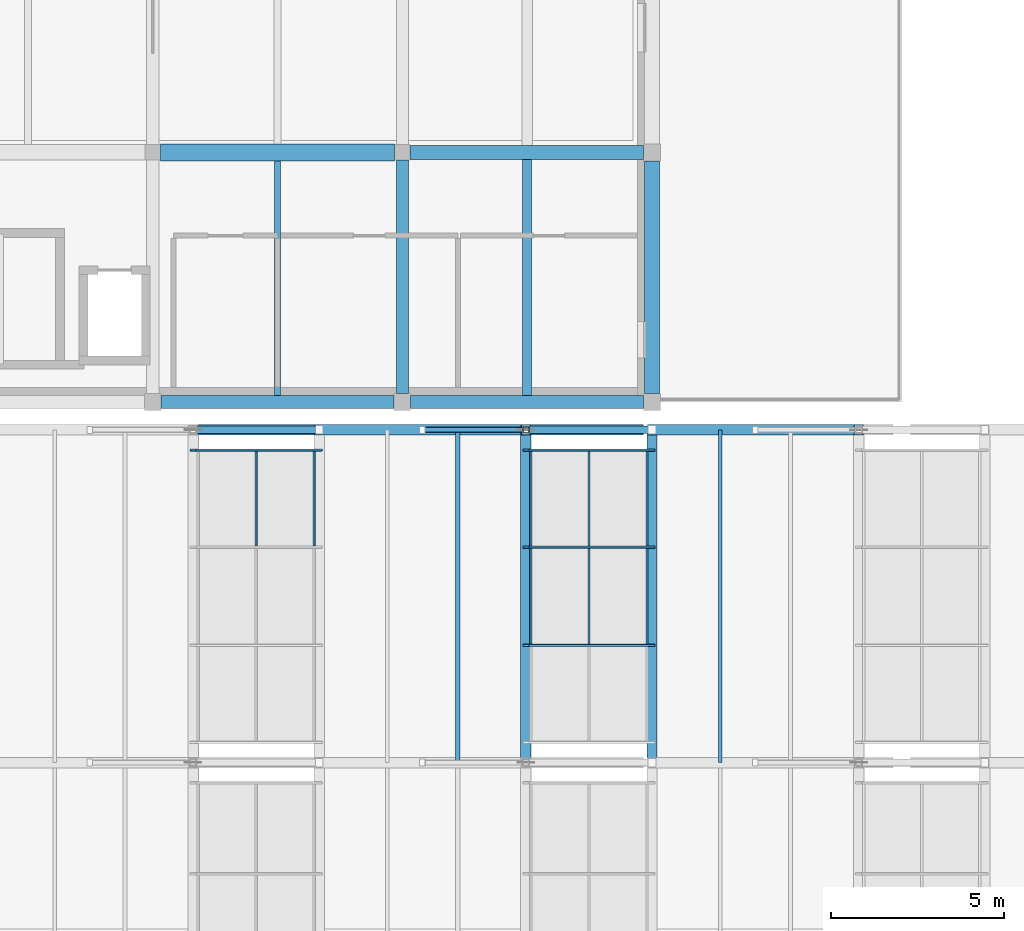
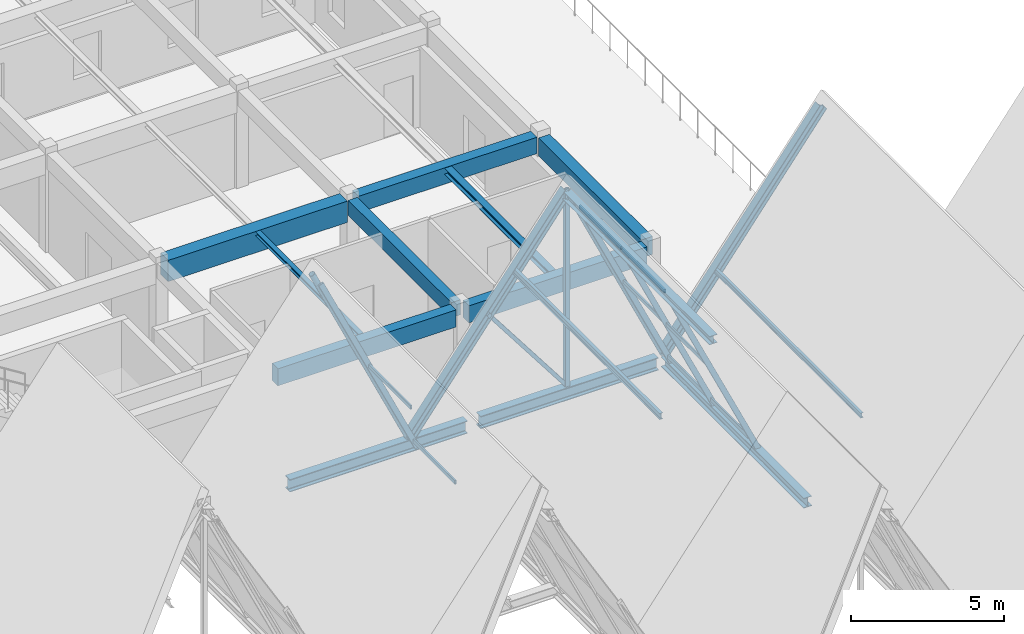
# One storey, part 26 of 99: 20 members, 12 beams, 2 elements without a shape of their own.
"""IFC4 building model written with IfcOpenShell, lengths in metres."""

from ifc_helpers import new_model, si_unit, direction, frame, origin, origin_2d, place, context, subcontext, project, spatial, rectangle, hollow_rectangle, hollow_circle, i_section, extrude, material, material_profile, profile_set, type_object, element, aggregate, save


model = new_model("IFC4")

# Units and contexts
model_context = context("Model", 3, precision=1e-05, world=origin(), true_north=direction((0.0, 1.0)))
body_context = subcontext(model_context, "Body", "Model", "MODEL_VIEW")
ifc_project = project(units=[si_unit("LENGTHUNIT", "METRE"), si_unit("AREAUNIT", "SQUARE_METRE"), si_unit("VOLUMEUNIT", "CUBIC_METRE"), si_unit("PLANEANGLEUNIT", "RADIAN"), si_unit("MASSUNIT", "GRAM", prefix="KILO")], contexts=[model_context])

# Site, building, storey
site_placement = place(None, origin())
site = spatial("IfcSite", under=ifc_project, at=site_placement, CompositionType="ELEMENT")
building_placement = place(site_placement, origin())
building = spatial("IfcBuilding", under=site, at=building_placement, Name="Bramveld Media Centre", CompositionType="ELEMENT")
storey_placement = place(building_placement, frame((0.0, 0.0, 13.800048828125)))
storey = spatial("IfcBuildingStorey", under=building, at=storey_placement, Name="L03", CompositionType="ELEMENT", Elevation=13.800048828125)

# Beams
ifc_material_1 = material(Name="Concrete C40/50", Category="concrete")
ifc_material_profile_1 = material_profile(ifc_material_1, rectangle(XDim=0.35009765625, YDim=0.60009765625, at=origin_2d()), Name="RC 350x600")
ifc_profile_set_1 = profile_set([ifc_material_profile_1], Name="Concrete C40/50")
beam_type_1 = type_object("IfcBeamType", Name="BM-INT-RC-350x600", PredefinedType="BEAM", material=ifc_profile_set_1)
beam_1_placement = place(storey_placement, frame((21.60009765625, 39.43994140625, 3.659912109375), z_axis=(0.0, 1.0, 0.0), x_axis=(-1.0, 0.0, 0.0)))
element("IfcBeam", 1, at=beam_1_placement, inside=storey, type_object=beam_type_1, Name="V3 L03 girder Y-420", PredefinedType="BEAM", context=body_context, shape_type="SweptSolid", body=[
    extrude(rectangle(XDim=0.35009765625, YDim=0.60009765625, at=origin_2d()), origin(), (0.0, 0.0, 1.0), 6.735107421875),
])
ifc_material_2 = material(Name="Concrete C40/50", Category="concrete")
ifc_material_profile_2 = material_profile(ifc_material_2, rectangle(XDim=0.39990234375, YDim=0.64990234375, at=origin_2d()), Name="RC 400x650")
ifc_profile_set_2 = profile_set([ifc_material_profile_2], Name="Concrete C40/50")
beam_type_2 = type_object("IfcBeamType", Name="BM-INT-RC-400x650", PredefinedType="BEAM", material=ifc_profile_set_2)
beam_2_placement = place(storey_placement, frame((21.824951171875, 46.39990234375, 3.635009765625), z_axis=(1.0, 0.0, 0.0), x_axis=(0.0, 1.0, 0.0)))
element("IfcBeam", 2, at=beam_2_placement, inside=storey, type_object=beam_type_2, Name="V3 L03 girder X-396", PredefinedType="BEAM", context=body_context, shape_type="SweptSolid", body=[
    extrude(rectangle(XDim=0.39990234375, YDim=0.64990234375, at=origin_2d()), origin(), (0.0, 0.0, 1.0), 6.735107421875),
])
ifc_material_3 = material(Name="Concrete C40/50", Category="concrete")
ifc_material_profile_3 = material_profile(ifc_material_3, rectangle(XDim=0.5, YDim=0.85009765625, at=origin_2d()), Name="RC 500x850")
ifc_profile_set_3 = profile_set([ifc_material_profile_3], Name="Concrete C40/50")
beam_type_3 = type_object("IfcBeamType", Name="BM-INT-RC-500x850", PredefinedType="BEAM", material=ifc_profile_set_3)
beam_3_placement = place(storey_placement, frame((14.625, 46.39990234375, 3.534912109375), z_axis=(1.0, 0.0, 0.0), x_axis=(0.0, 1.0, 0.0)))
element("IfcBeam", 3, at=beam_3_placement, inside=storey, type_object=beam_type_3, Name="V3 L03 girder X-395", PredefinedType="BEAM", context=body_context, shape_type="SweptSolid", body=[
    extrude(rectangle(XDim=0.5, YDim=0.85009765625, at=origin_2d()), origin(), (0.0, 0.0, 1.0), 6.75),
])

# Curtain wall, member
ifc_material_4 = material(Name="Thermally broken anodized bronze aluminium unitized curtain wall with solar-control triple glazing", Category="aluminium")
curtain_wall_type = type_object("IfcCurtainWallType", Name="CW-SAW-8500x8606", PredefinedType="NOTDEFINED", material=ifc_material_4)
curtain_wall_1_placement = place(storey_placement, origin())
curtain_wall_1 = element("IfcCurtainWall", 4, at=curtain_wall_1_placement, inside=storey, type_object=curtain_wall_type, Name="V2 sawtooth north-light clerestory B2-S3", PredefinedType="NOTDEFINED")
ifc_material_5 = material(Name="Thermally broken anodized bronze aluminium EN AW-6063 T6 curtain-wall framing", Category="aluminium")
ifc_material_profile_4 = material_profile(ifc_material_5, hollow_rectangle(XDim=0.070068359375, YDim=0.199951171875, WallThickness=0.00439453125, InnerFilletRadius=0.00439453125, OuterFilletRadius=0.009033203125, at=origin_2d()), Name="AL-MULL 70x200")
ifc_profile_set_4 = profile_set([ifc_material_profile_4], Name="Thermally broken anodized bronze aluminium EN AW-6063 T6 curtain-wall framing")
member_type_1 = type_object("IfcMemberType", Name="CW-MULL-SLP", PredefinedType="MULLION", material=ifc_profile_set_4)
member_1_placement = place(storey_placement, frame((19.199951171875, 37.81494140625, -0.02001953125), z_axis=(-0.423956992265, 0.0, 0.90568232218), x_axis=(0.0, -1.0, 0.0)))
member_1 = element("IfcMember", 5, at=member_1_placement, type_object=member_type_1, Name="CW-SA-8586 sloped mullion 4", PredefinedType="MULLION", context=body_context, shape_type="SweptSolid", body=[
    extrude(hollow_rectangle(XDim=0.070068359375, YDim=0.199951171875, WallThickness=0.00439453125, InnerFilletRadius=0.00439453125, OuterFilletRadius=0.009033203125, at=origin_2d()), origin(), (0.0, 0.0, 1.0), 8.5791015625),
])

# Curtain wall, members
curtain_wall_2_placement = place(storey_placement, origin())
curtain_wall_2 = element("IfcCurtainWall", 6, at=curtain_wall_2_placement, inside=storey, type_object=curtain_wall_type, Name="V2 sawtooth north-light clerestory B3-S3", PredefinedType="NOTDEFINED")
member_2_placement = place(storey_placement, frame((28.800048828125, 32.183349609375, -0.02001953125), z_axis=(-0.423956992265, 0.0, 0.90568232218), x_axis=(0.0, -1.0, 0.0)))
member_2 = element("IfcMember", 7, at=member_2_placement, type_object=member_type_1, Name="CW-SA-8586 sloped mullion 2", PredefinedType="MULLION", context=body_context, shape_type="SweptSolid", body=[
    extrude(hollow_rectangle(XDim=0.070068359375, YDim=0.199951171875, WallThickness=0.00439453125, InnerFilletRadius=0.00439453125, OuterFilletRadius=0.009033203125, at=origin_2d()), origin(), (0.0, 0.0, 1.0), 8.5791015625),
])
member_3_placement = place(storey_placement, frame((28.800048828125, 35.0166015625, -0.02001953125), z_axis=(-0.423956992265, 0.0, 0.90568232218), x_axis=(0.0, -1.0, 0.0)))
member_3 = element("IfcMember", 8, at=member_3_placement, type_object=member_type_1, Name="CW-SA-8586 sloped mullion 3", PredefinedType="MULLION", context=body_context, shape_type="SweptSolid", body=[
    extrude(hollow_rectangle(XDim=0.070068359375, YDim=0.199951171875, WallThickness=0.00439453125, InnerFilletRadius=0.00439453125, OuterFilletRadius=0.009033203125, at=origin_2d()), origin(), (0.0, 0.0, 1.0), 8.5791015625),
])
member_4_placement = place(storey_placement, frame((28.800048828125, 37.81494140625, -0.02001953125), z_axis=(-0.423956992265, 0.0, 0.90568232218), x_axis=(0.0, -1.0, 0.0)))
member_4 = element("IfcMember", 9, at=member_4_placement, type_object=member_type_1, Name="CW-SA-8586 sloped mullion 4", PredefinedType="MULLION", context=body_context, shape_type="SweptSolid", body=[
    extrude(hollow_rectangle(XDim=0.070068359375, YDim=0.199951171875, WallThickness=0.00439453125, InnerFilletRadius=0.00439453125, OuterFilletRadius=0.009033203125, at=origin_2d()), origin(), (0.0, 0.0, 1.0), 8.5791015625),
])

# Member
ifc_material_6 = material(Name="Thermally broken anodized bronze aluminium EN AW-6063 T6 curtain-wall framing", Category="aluminium")
ifc_material_profile_5 = material_profile(ifc_material_6, hollow_rectangle(XDim=0.070068359375, YDim=0.14990234375, WallThickness=0.00390625, InnerFilletRadius=0.00390625, OuterFilletRadius=0.008056640625, at=origin_2d()), Name="AL-TRAN 70x150")
ifc_profile_set_5 = profile_set([ifc_material_profile_5], Name="Thermally broken anodized bronze aluminium EN AW-6063 T6 curtain-wall framing")
member_type_2 = type_object("IfcMemberType", Name="CW-TRAN-SLP", PredefinedType="USERDEFINED", material=ifc_profile_set_5)
member_5_placement = place(storey_placement, frame((19.054443359375, 35.0517578125, 0.290771484375), z_axis=(0.0, 1.0, 0.0), x_axis=(-1.0, 0.0, 0.0)))
member_5 = element("IfcMember", 10, at=member_5_placement, type_object=member_type_2, Name="CW-SA-8586 transom 3.1", ObjectType="TRANSOM", PredefinedType="USERDEFINED", context=body_context, shape_type="SweptSolid", body=[
    extrude(hollow_rectangle(XDim=0.070068359375, YDim=0.14990234375, WallThickness=0.00390625, InnerFilletRadius=0.00390625, OuterFilletRadius=0.008056640625, at=origin_2d()), origin(), (0.0, 0.0, 1.0), 2.728271484375),
])

member_6_placement = place(storey_placement, frame((17.38134765625, 35.0517578125, 3.864990234375), z_axis=(0.0, 1.0, 0.0), x_axis=(-1.0, 0.0, 0.0)))
member_6 = element("IfcMember", 11, at=member_6_placement, type_object=member_type_2, Name="CW-SA-8586 transom 3.2", ObjectType="TRANSOM", PredefinedType="USERDEFINED", context=body_context, shape_type="SweptSolid", body=[
    extrude(hollow_rectangle(XDim=0.070068359375, YDim=0.14990234375, WallThickness=0.00390625, InnerFilletRadius=0.00390625, OuterFilletRadius=0.008056640625, at=origin_2d()), origin(), (0.0, 0.0, 1.0), 2.728271484375),
])

aggregate(curtain_wall_1, [member_1, member_5, member_6])

member_7_placement = place(storey_placement, frame((28.654541015625, 32.21826171875, 0.290771484375), z_axis=(0.0, 1.0, 0.0), x_axis=(-1.0, 0.0, 0.0)))
member_7 = element("IfcMember", 12, at=member_7_placement, type_object=member_type_2, Name="CW-SA-8586 transom 2.1", ObjectType="TRANSOM", PredefinedType="USERDEFINED", context=body_context, shape_type="SweptSolid", body=[
    extrude(hollow_rectangle(XDim=0.070068359375, YDim=0.14990234375, WallThickness=0.00390625, InnerFilletRadius=0.00390625, OuterFilletRadius=0.008056640625, at=origin_2d()), origin(), (0.0, 0.0, 1.0), 2.763427734375),
])

member_8_placement = place(storey_placement, frame((26.9814453125, 32.21826171875, 3.864990234375), z_axis=(0.0, 1.0, 0.0), x_axis=(-1.0, 0.0, 0.0)))
member_8 = element("IfcMember", 13, at=member_8_placement, type_object=member_type_2, Name="CW-SA-8586 transom 2.2", ObjectType="TRANSOM", PredefinedType="USERDEFINED", context=body_context, shape_type="SweptSolid", body=[
    extrude(hollow_rectangle(XDim=0.070068359375, YDim=0.14990234375, WallThickness=0.00390625, InnerFilletRadius=0.00390625, OuterFilletRadius=0.008056640625, at=origin_2d()), origin(), (0.0, 0.0, 1.0), 2.763427734375),
])

member_9_placement = place(storey_placement, frame((25.308349609375, 32.21826171875, 7.439208984375), z_axis=(0.0, 1.0, 0.0), x_axis=(-1.0, 0.0, 0.0)))
member_9 = element("IfcMember", 14, at=member_9_placement, type_object=member_type_2, Name="CW-SA-8586 transom 2.3", ObjectType="TRANSOM", PredefinedType="USERDEFINED", context=body_context, shape_type="SweptSolid", body=[
    extrude(hollow_rectangle(XDim=0.070068359375, YDim=0.14990234375, WallThickness=0.00390625, InnerFilletRadius=0.00390625, OuterFilletRadius=0.008056640625, at=origin_2d()), origin(), (0.0, 0.0, 1.0), 2.763427734375),
])

member_10_placement = place(storey_placement, frame((28.654541015625, 35.0517578125, 0.290771484375), z_axis=(0.0, 1.0, 0.0), x_axis=(-1.0, 0.0, 0.0)))
member_10 = element("IfcMember", 15, at=member_10_placement, type_object=member_type_2, Name="CW-SA-8586 transom 3.1", ObjectType="TRANSOM", PredefinedType="USERDEFINED", context=body_context, shape_type="SweptSolid", body=[
    extrude(hollow_rectangle(XDim=0.070068359375, YDim=0.14990234375, WallThickness=0.00390625, InnerFilletRadius=0.00390625, OuterFilletRadius=0.008056640625, at=origin_2d()), origin(), (0.0, 0.0, 1.0), 2.728271484375),
])

member_11_placement = place(storey_placement, frame((26.9814453125, 35.0517578125, 3.864990234375), z_axis=(0.0, 1.0, 0.0), x_axis=(-1.0, 0.0, 0.0)))
member_11 = element("IfcMember", 16, at=member_11_placement, type_object=member_type_2, Name="CW-SA-8586 transom 3.2", ObjectType="TRANSOM", PredefinedType="USERDEFINED", context=body_context, shape_type="SweptSolid", body=[
    extrude(hollow_rectangle(XDim=0.070068359375, YDim=0.14990234375, WallThickness=0.00390625, InnerFilletRadius=0.00390625, OuterFilletRadius=0.008056640625, at=origin_2d()), origin(), (0.0, 0.0, 1.0), 2.728271484375),
])

member_12_placement = place(storey_placement, frame((25.308349609375, 35.0517578125, 7.439208984375), z_axis=(0.0, 1.0, 0.0), x_axis=(-1.0, 0.0, 0.0)))
member_12 = element("IfcMember", 17, at=member_12_placement, type_object=member_type_2, Name="CW-SA-8586 transom 3.3", ObjectType="TRANSOM", PredefinedType="USERDEFINED", context=body_context, shape_type="SweptSolid", body=[
    extrude(hollow_rectangle(XDim=0.070068359375, YDim=0.14990234375, WallThickness=0.00390625, InnerFilletRadius=0.00390625, OuterFilletRadius=0.008056640625, at=origin_2d()), origin(), (0.0, 0.0, 1.0), 2.728271484375),
])

aggregate(curtain_wall_2, [member_2, member_3, member_4, member_7, member_8, member_9, member_10, member_11, member_12])

# Members
ifc_material_7 = material(Name="Steel S355J2H", Category="steel")
ifc_material_profile_6 = material_profile(ifc_material_7, hollow_circle(Radius=0.109619140625, WallThickness=0.012451171875, at=origin_2d()), Name="CHS 219.1x12.5")
ifc_profile_set_6 = profile_set([ifc_material_profile_6], Name="Steel S355J2H")
member_type_3 = type_object("IfcMemberType", Name="MEM-BRACE-CHS219", PredefinedType="BRACE", material=ifc_profile_set_6)
for number, where, z_axis, x_axis, name in (
    (18, (19.199951171875, 38.39990234375, 0.0), (-0.422616785161, 0.0, 0.906308475575), (0.0, -1.0, 0.0), "TRUSS-V2-B02-F5 north-light strut"),
    (19, (28.800048828125, 38.39990234375, 0.0), (-0.422616785161, 0.0, 0.906308475575), (0.0, -1.0, 0.0), "TRUSS-V2-B03-F5 north-light strut"),
):
    element("IfcMember", number, at=place(storey_placement, frame(where, z_axis=z_axis, x_axis=x_axis)), inside=storey, type_object=member_type_3, Name=name, PredefinedType="BRACE", context=body_context, shape_type="SweptSolid", body=[
        extrude(hollow_circle(Radius=0.109619140625, WallThickness=0.012451171875, at=origin_2d()), origin(), (0.0, 0.0, 1.0), 8.6064453125),
    ])
ifc_material_8 = material(Name="Steel S355J2H", Category="steel")
ifc_material_profile_7 = material_profile(ifc_material_8, hollow_rectangle(XDim=0.14990234375, YDim=0.14990234375, WallThickness=0.010009765625, InnerFilletRadius=0.010009765625, OuterFilletRadius=0.02001953125, at=origin_2d()), Name="SHS 150x150x10")
ifc_profile_set_7 = profile_set([ifc_material_profile_7], Name="Steel S355J2H")
member_type_4 = type_object("IfcMemberType", Name="MEM-BRACE-SHS150", PredefinedType="BRACE", material=ifc_profile_set_7)
member_13_placement = place(storey_placement, frame((25.162841796875, 38.39990234375, 0.0), z_axis=(-0.607343034298, 0.0, 0.794439701104), x_axis=(0.0, -1.0, 0.0)))
element("IfcMember", 20, at=member_13_placement, inside=storey, type_object=member_type_4, Name="TRUSS-V2-B03-F5 web diagonal", PredefinedType="BRACE", context=body_context, shape_type="SweptSolid", body=[
    extrude(hollow_rectangle(XDim=0.14990234375, YDim=0.14990234375, WallThickness=0.010009765625, InnerFilletRadius=0.010009765625, OuterFilletRadius=0.02001953125, at=origin_2d()), origin(), (0.0, 0.0, 1.0), 4.908935546875),
])
ifc_material_9 = material(Name="Steel S355J2", Category="steel")
ifc_material_profile_8 = material_profile(ifc_material_9, i_section(OverallWidth=0.300048828125, OverallDepth=0.340087890625, WebThickness=0.011962890625, FlangeThickness=0.021484375, FilletRadius=0.027099609375, at=origin_2d()), Name="HEB 340")
ifc_profile_set_8 = profile_set([ifc_material_profile_8], Name="Steel S355J2")
member_type_5 = type_object("IfcMemberType", Name="MEM-CHORD-HEB340", PredefinedType="CHORD", material=ifc_profile_set_8)
for number, where, z_axis, x_axis, name in (
    (21, (19.199951171875, 38.39990234375, 0.0), (0.607331036372, 0.0, 0.794448873282), (0.0, 1.0, 0.0), "TRUSS-V2-B03-F5 top rafter chord"),
    (22, (28.800048828125, 38.39990234375, 0.0), (0.607315341765, 0.0, 0.794460871067), (0.0, 1.0, 0.0), "TRUSS-V2-B04-F5 top rafter chord"),
):
    element("IfcMember", number, at=place(storey_placement, frame(where, z_axis=z_axis, x_axis=x_axis)), inside=storey, type_object=member_type_5, Name=name, PredefinedType="CHORD", context=body_context, shape_type="SweptSolid", body=[
        extrude(i_section(OverallWidth=0.300048828125, OverallDepth=0.340087890625, WebThickness=0.011962890625, FlangeThickness=0.021484375, FilletRadius=0.027099609375, at=origin_2d()), origin(), (0.0, 0.0, 1.0), 9.818115234375),
    ])
ifc_material_10 = material(Name="Steel S355J2H", Category="steel")
ifc_material_profile_9 = material_profile(ifc_material_10, hollow_rectangle(XDim=0.179931640625, YDim=0.179931640625, WallThickness=0.010009765625, InnerFilletRadius=0.010009765625, OuterFilletRadius=0.02001953125, at=origin_2d()), Name="SHS 180x180x10")
ifc_profile_set_9 = profile_set([ifc_material_profile_9], Name="Steel S355J2H")
member_type_6 = type_object("IfcMemberType", Name="MEM-POST-SHS180", PredefinedType="POST", material=ifc_profile_set_9)
member_14_placement = place(storey_placement, frame((25.162841796875, 38.39990234375, 0.0), z_axis=(0.0, 0.0, 1.0), x_axis=(1.0, 0.0, 0.0)))
element("IfcMember", 23, at=member_14_placement, inside=storey, type_object=member_type_6, Name="TRUSS-V2-B03-F5 kingpost", PredefinedType="POST", context=body_context, shape_type="SweptSolid", body=[
    extrude(hollow_rectangle(XDim=0.179931640625, YDim=0.179931640625, WallThickness=0.010009765625, InnerFilletRadius=0.010009765625, OuterFilletRadius=0.02001953125, at=origin_2d()), origin(), (0.0, 0.0, 1.0), 7.800048828125),
])
ifc_material_11 = material(Name="Steel S355J2", Category="steel")
ifc_material_profile_10 = material_profile(ifc_material_11, i_section(OverallWidth=0.10009765625, OverallDepth=0.199951171875, WebThickness=0.005615234375, FlangeThickness=0.008544921875, FilletRadius=0.011962890625, at=origin_2d()), Name="IPE 200")
ifc_profile_set_10 = profile_set([ifc_material_profile_10], Name="Steel S355J2")
member_type_7 = type_object("IfcMemberType", Name="MEM-PURLIN-IPE200", PredefinedType="PURLIN", material=ifc_profile_set_10)
member_15_placement = place(storey_placement, frame((30.767578125, 28.800048828125, 2.650146484375), z_axis=(0.0, 1.0, 0.0), x_axis=(-1.0, 0.0, 0.0)))
element("IfcMember", 24, at=member_15_placement, inside=storey, type_object=member_type_7, Name="V2 roof purlin", PredefinedType="PURLIN", context=body_context, shape_type="SweptSolid", body=[
    extrude(i_section(OverallWidth=0.10009765625, OverallDepth=0.199951171875, WebThickness=0.005615234375, FlangeThickness=0.008544921875, FilletRadius=0.011962890625, at=origin_2d()), origin(), (0.0, 0.0, 1.0), 9.599853515625),
])
ifc_material_12 = material(Name="Steel S355J2", Category="steel")
ifc_material_profile_11 = material_profile(ifc_material_12, i_section(OverallWidth=0.1201171875, OverallDepth=0.239990234375, WebThickness=0.006103515625, FlangeThickness=0.009765625, FilletRadius=0.014892578125, at=origin_2d()), Name="IPE 240")
ifc_profile_set_11 = profile_set([ifc_material_profile_11], Name="Steel S355J2")
member_type_8 = type_object("IfcMemberType", Name="MEM-PURLIN-IPE240", PredefinedType="PURLIN", material=ifc_profile_set_11)
member_16_placement = place(storey_placement, frame((23.195068359375, 28.800048828125, 5.26904296875), z_axis=(0.0, 1.0, 0.0), x_axis=(-1.0, 0.0, 0.0)))
element("IfcMember", 25, at=member_16_placement, inside=storey, type_object=member_type_8, Name="V2 roof purlin", PredefinedType="PURLIN", context=body_context, shape_type="SweptSolid", body=[
    extrude(i_section(OverallWidth=0.1201171875, OverallDepth=0.239990234375, WebThickness=0.006103515625, FlangeThickness=0.009765625, FilletRadius=0.014892578125, at=origin_2d()), origin(), (0.0, 0.0, 1.0), 9.599853515625),
])

# Beams
ifc_material_13 = material(Name="Steel S355J2", Category="steel")
ifc_material_profile_12 = material_profile(ifc_material_13, i_section(OverallWidth=0.300048828125, OverallDepth=0.5, WebThickness=0.014404296875, FlangeThickness=0.028076171875, FilletRadius=0.027099609375, at=origin_2d()), Name="HEB 500")
ifc_profile_set_12 = profile_set([ifc_material_profile_12], Name="Steel S355J2")
beam_type_4 = type_object("IfcBeamType", Name="SBM-EXT-HEB-500", PredefinedType="BEAM", material=ifc_profile_set_12)
beam_4_placement = place(storey_placement, frame((14.64990234375, 38.39990234375, -0.25), z_axis=(1.0, 0.0, 0.0), x_axis=(0.0, 1.0, 0.0)))
element("IfcBeam", 26, at=beam_4_placement, inside=storey, type_object=beam_type_4, Name="V2 sawtooth tie girder", PredefinedType="BEAM", context=body_context, shape_type="SweptSolid", body=[
    extrude(i_section(OverallWidth=0.300048828125, OverallDepth=0.5, WebThickness=0.014404296875, FlangeThickness=0.028076171875, FilletRadius=0.027099609375, at=origin_2d()), origin(), (0.0, 0.0, 1.0), 6.7001953125),
])
beam_5_placement = place(storey_placement, frame((21.85009765625, 38.39990234375, -0.25), z_axis=(1.0, 0.0, 0.0), x_axis=(0.0, 1.0, 0.0)))
element("IfcBeam", 27, at=beam_5_placement, inside=storey, type_object=beam_type_4, Name="V2 sawtooth tie girder", PredefinedType="BEAM", context=body_context, shape_type="SweptSolid", body=[
    extrude(i_section(OverallWidth=0.300048828125, OverallDepth=0.5, WebThickness=0.014404296875, FlangeThickness=0.028076171875, FilletRadius=0.027099609375, at=origin_2d()), origin(), (0.0, 0.0, 1.0), 6.699951171875),
])
ifc_material_14 = material(Name="Steel S355J2", Category="steel")
ifc_material_profile_13 = material_profile(ifc_material_14, i_section(OverallWidth=0.179931640625, OverallDepth=0.1708984375, WebThickness=0.006103515625, FlangeThickness=0.009521484375, FilletRadius=0.014892578125, at=origin_2d()), Name="HEA 180")
ifc_profile_set_13 = profile_set([ifc_material_profile_13], Name="Steel S355J2")
beam_type_5 = type_object("IfcBeamType", Name="SBM-INT-HEA-180", PredefinedType="BEAM", material=ifc_profile_set_13)
beam_6_placement = place(storey_placement, frame((18.0, 39.389892578125, 3.87451171875), z_axis=(0.0, 1.0, 0.0), x_axis=(-1.0, 0.0, 0.0)))
element("IfcBeam", 28, at=beam_6_placement, inside=storey, type_object=beam_type_5, Name="V3 L03 secondary floor joist 434", PredefinedType="BEAM", context=body_context, shape_type="SweptSolid", body=[
    extrude(i_section(OverallWidth=0.179931640625, OverallDepth=0.1708984375, WebThickness=0.006103515625, FlangeThickness=0.009521484375, FilletRadius=0.014892578125, at=origin_2d()), origin(), (0.0, 0.0, 1.0), 6.760009765625),
])
ifc_material_15 = material(Name="Steel S355J2", Category="steel")
ifc_material_profile_14 = material_profile(ifc_material_15, i_section(OverallWidth=0.260009765625, OverallDepth=0.25, WebThickness=0.007568359375, FlangeThickness=0.012451171875, FilletRadius=0.02392578125, at=origin_2d()), Name="HEA 260")
ifc_profile_set_14 = profile_set([ifc_material_profile_14], Name="Steel S355J2")
beam_type_6 = type_object("IfcBeamType", Name="SBM-INT-HEA-260", PredefinedType="BEAM", material=ifc_profile_set_14)
beam_7_placement = place(storey_placement, frame((25.199951171875, 39.389892578125, 3.824951171875), z_axis=(0.0, 1.0, 0.0), x_axis=(-1.0, 0.0, 0.0)))
element("IfcBeam", 29, at=beam_7_placement, inside=storey, type_object=beam_type_6, Name="V3 L03 secondary floor joist 438", PredefinedType="BEAM", context=body_context, shape_type="SweptSolid", body=[
    extrude(i_section(OverallWidth=0.260009765625, OverallDepth=0.25, WebThickness=0.007568359375, FlangeThickness=0.012451171875, FilletRadius=0.02392578125, at=origin_2d()), origin(), (0.0, 0.0, 1.0), 6.81005859375),
])
ifc_material_16 = material(Name="Steel S355J2", Category="steel")
ifc_material_profile_15 = material_profile(ifc_material_16, i_section(OverallWidth=0.300048828125, OverallDepth=0.330078125, WebThickness=0.009521484375, FlangeThickness=0.0166015625, FilletRadius=0.027099609375, at=origin_2d()), Name="HEA 340")
ifc_profile_set_15 = profile_set([ifc_material_profile_15], Name="Steel S355J2")
beam_type_7 = type_object("IfcBeamType", Name="SBM-INT-HEA-340", PredefinedType="BEAM", material=ifc_profile_set_15)
beam_8_placement = place(storey_placement, frame((25.162841796875, 28.800048828125, 7.635009765625), z_axis=(0.0, 1.0, 0.0), x_axis=(-1.0, 0.0, 0.0)))
element("IfcBeam", 30, at=beam_8_placement, inside=storey, type_object=beam_type_7, Name="V2 ridge spine beam", PredefinedType="BEAM", context=body_context, shape_type="SweptSolid", body=[
    extrude(i_section(OverallWidth=0.300048828125, OverallDepth=0.330078125, WebThickness=0.009521484375, FlangeThickness=0.0166015625, FilletRadius=0.027099609375, at=origin_2d()), origin(), (0.0, 0.0, 1.0), 9.599853515625),
])
ifc_material_17 = material(Name="Steel S355J2", Category="steel")
ifc_material_profile_16 = material_profile(ifc_material_17, i_section(OverallWidth=0.300048828125, OverallDepth=0.39990234375, WebThickness=0.013427734375, FlangeThickness=0.02392578125, FilletRadius=0.027099609375, at=origin_2d()), Name="HEB 400")
ifc_profile_set_16 = profile_set([ifc_material_profile_16], Name="Steel S355J2")
beam_type_8 = type_object("IfcBeamType", Name="SBM-INT-HEB-400", PredefinedType="BEAM", material=ifc_profile_set_16)
beam_9_placement = place(storey_placement, frame((28.800048828125, 28.93994140625, -0.199951171875), z_axis=(0.0, 1.0, 0.0), x_axis=(-1.0, 0.0, 0.0)))
element("IfcBeam", 31, at=beam_9_placement, inside=storey, type_object=beam_type_8, Name="V2 valley spine girder 3", PredefinedType="BEAM", context=body_context, shape_type="SweptSolid", body=[
    extrude(i_section(OverallWidth=0.300048828125, OverallDepth=0.39990234375, WebThickness=0.013427734375, FlangeThickness=0.02392578125, FilletRadius=0.027099609375, at=origin_2d()), origin(), (0.0, 0.0, 1.0), 9.320068359375),
])
ifc_material_18 = material(Name="Concrete C40/50", Category="concrete")
ifc_material_profile_17 = material_profile(ifc_material_18, rectangle(XDim=0.3798828125, YDim=0.679931640625, at=origin_2d()), Name="RC 380x680")
ifc_profile_set_17 = profile_set([ifc_material_profile_17], Name="Concrete C40/50")
beam_type_9 = type_object("IfcBeamType", Name="SPANDREL-EXT-RC-380x680", PredefinedType="SPANDREL", material=ifc_profile_set_17)
beam_10_placement = place(storey_placement, frame((14.639892578125, 39.199951171875, 3.619873046875), z_axis=(1.0, 0.0, 0.0), x_axis=(0.0, 1.0, 0.0)))
element("IfcBeam", 32, at=beam_10_placement, inside=storey, type_object=beam_type_9, Name="V3 L03 girder X-391", PredefinedType="SPANDREL", context=body_context, shape_type="SweptSolid", body=[
    extrude(rectangle(XDim=0.3798828125, YDim=0.679931640625, at=origin_2d()), origin(), (0.0, 0.0, 1.0), 6.72021484375),
])
beam_11_placement = place(storey_placement, frame((21.840087890625, 39.199951171875, 3.60986328125), z_axis=(1.0, 0.0, 0.0), x_axis=(0.0, 1.0, 0.0)))
element("IfcBeam", 33, at=beam_11_placement, inside=storey, type_object=beam_type_9, Name="V3 L03 girder X-392", PredefinedType="SPANDREL", context=body_context, shape_type="SweptSolid", body=[
    extrude(rectangle(XDim=0.3798828125, YDim=0.679931640625, at=origin_2d()), origin(), (0.0, 0.0, 1.0), 6.719970703125),
])
ifc_material_19 = material(Name="Concrete C40/50", Category="concrete")
ifc_material_profile_18 = material_profile(ifc_material_19, rectangle(XDim=0.419921875, YDim=0.719970703125, at=origin_2d()), Name="RC 420x720")
ifc_profile_set_18 = profile_set([ifc_material_profile_18], Name="Concrete C40/50")
beam_type_10 = type_object("IfcBeamType", Name="SPANDREL-EXT-RC-420x720", PredefinedType="SPANDREL", material=ifc_profile_set_18)
beam_12_placement = place(storey_placement, frame((28.800048828125, 39.43994140625, 3.58984375), z_axis=(0.0, 1.0, 0.0), x_axis=(-1.0, 0.0, 0.0)))
element("IfcBeam", 34, at=beam_12_placement, inside=storey, type_object=beam_type_10, Name="V3 L03 girder Y-424", PredefinedType="SPANDREL", context=body_context, shape_type="SweptSolid", body=[
    extrude(rectangle(XDim=0.419921875, YDim=0.719970703125, at=origin_2d()), origin(), (0.0, 0.0, 1.0), 6.719970703125),
])

save(model, "model.ifc")
